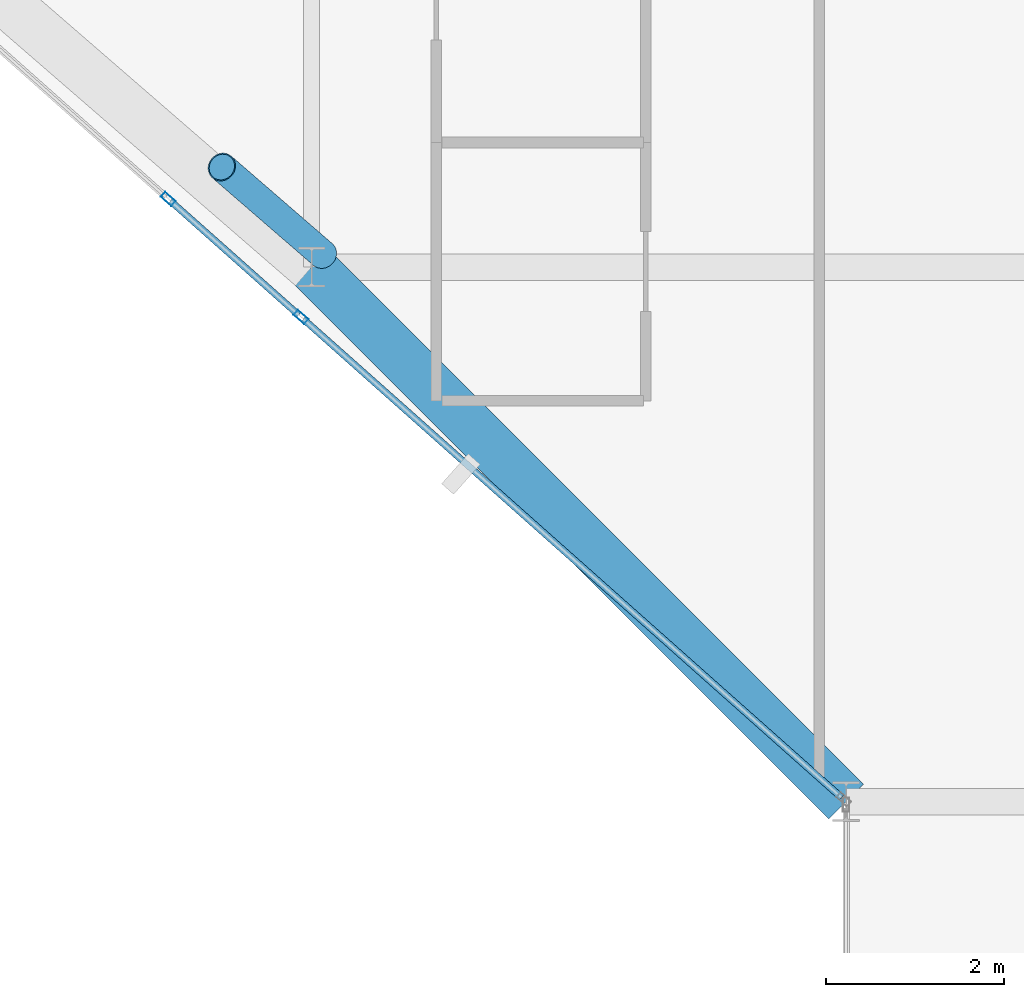
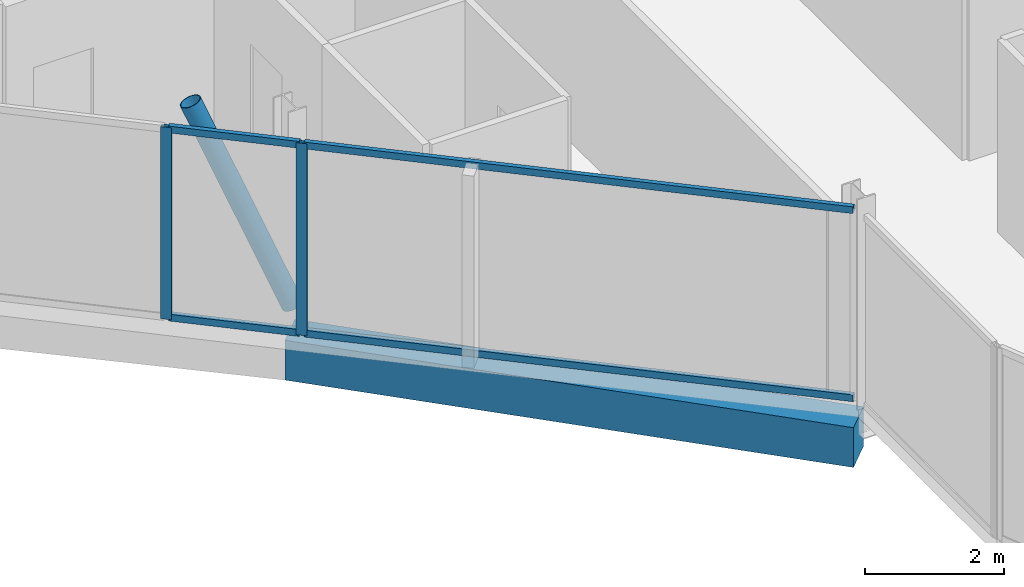
# One storey, part 4 of 29: 7 members, 1 beam, 2 elements without a shape of their own.
"""IFC4 building model written with IfcOpenShell, lengths in metres."""

import ifcopenshell
import ifcopenshell.guid

model = None  # the IFC model being written
_history = None  # IfcOwnerHistory: only IFC2X3 demands one
_inside = {}  # id of a spatial element -> (the spatial element, [elements in it])
_under = {}  # id of a project, library or spatial element -> (it, [spatial elements below it])
_declared = {}  # id of a project -> (the project, [libraries it declares])
_typed = {}  # id of a type object -> (the type object, [elements of that type])
_made_of = {}  # id of a material, layer set ... -> (it, [elements and type objects made of it])


def new_model(schema):
    """Start an empty IFC model of exactly this schema.

    Asked for "IFC4X3", IfcOpenShell would pick the latest addendum, in which some entities
    have other attributes; the version numbers below select the first issue.
    IFC2X3 requires an IfcOwnerHistory on every rooted entity: one is made here for all.
    """
    global model, _history
    if schema == "IFC4X3":
        model = ifcopenshell.file(schema_version=(4, 3, 0, 0))
    else:
        model = ifcopenshell.file(schema=schema)
    _inside.clear()
    _under.clear()
    _declared.clear()
    _typed.clear()
    _made_of.clear()
    _history = None
    if model.schema == "IFC2X3":
        org = make("IfcOrganization", Name="unknown")
        user = make(
            "IfcPersonAndOrganization",
            ThePerson=make("IfcPerson", FamilyName="unknown"),
            TheOrganization=org,
        )
        app = make(
            "IfcApplication",
            ApplicationDeveloper=org,
            Version="unknown",
            ApplicationFullName="unknown",
            ApplicationIdentifier="unknown",
        )
        _history = make(
            "IfcOwnerHistory",
            OwningUser=user,
            OwningApplication=app,
            ChangeAction="ADDED",
            CreationDate=0,
        )
    return model


def make(cls, **values):
    """One entity of the class cls with the attributes given. An attribute that is None is left unset."""
    return model.create_entity(
        cls, **{name: value for name, value in values.items() if value is not None}
    )


def rooted(cls, **values):
    """An entity with a GlobalId (a new one), such as an element, a storey or a relation."""
    return make(cls, GlobalId=ifcopenshell.guid.new(), OwnerHistory=_history, **values)


def si_unit(unit_type, name, prefix=None):
    """IfcSIUnit, for example si_unit("LENGTHUNIT", "METRE", prefix="MILLI")."""
    return make("IfcSIUnit", UnitType=unit_type, Prefix=prefix, Name=name)


def assignment(units):
    """IfcUnitAssignment: the units of a project."""
    return None if units is None else make("IfcUnitAssignment", Units=units)


def point(xyz):
    """IfcCartesianPoint."""
    return None if xyz is None else make("IfcCartesianPoint", Coordinates=xyz)


def direction(xyz):
    """IfcDirection."""
    return None if xyz is None else make("IfcDirection", DirectionRatios=xyz)


def frame(location, z_axis=None, x_axis=None):
    """IfcAxis2Placement3D, a coordinate frame: its origin and axes. An axis left out is left unset."""
    return make(
        "IfcAxis2Placement3D",
        Location=point(location),
        Axis=direction(z_axis),
        RefDirection=direction(x_axis),
    )


def frame_2d(location, x_axis=None):
    """IfcAxis2Placement2D, a coordinate frame in the plane: its origin and x axis."""
    return make(
        "IfcAxis2Placement2D", Location=point(location), RefDirection=direction(x_axis)
    )


def origin():
    """The frame at (0, 0, 0) with its axes left unset."""
    return frame((0.0, 0.0, 0.0))


def origin_2d():
    """The frame at (0, 0) in the plane with its x axis left unset."""
    return frame_2d((0.0, 0.0))


def place(relative_to, where):
    """IfcLocalPlacement: puts the frame where relative to a parent placement (None: the world)."""
    return make(
        "IfcLocalPlacement", PlacementRelTo=relative_to, RelativePlacement=where
    )


def context(
    kind, dimensions, precision=None, world=None, true_north=None, identifier=None
):
    """IfcGeometricRepresentationContext, for example the 3D "Model" context."""
    return make(
        "IfcGeometricRepresentationContext",
        ContextIdentifier=identifier,
        ContextType=kind,
        CoordinateSpaceDimension=dimensions,
        Precision=precision,
        WorldCoordinateSystem=world,
        TrueNorth=true_north,
    )


def subcontext(parent, identifier, kind, view, scale=None):
    """IfcGeometricRepresentationSubContext, for example "Body" below "Model"."""
    return make(
        "IfcGeometricRepresentationSubContext",
        ContextIdentifier=identifier,
        ContextType=kind,
        ParentContext=parent,
        TargetScale=scale,
        TargetView=view,
    )


def project(units=None, contexts=None):
    """IfcProject with its units and contexts."""
    return rooted(
        "IfcProject",
        Name="project",
        RepresentationContexts=contexts,
        UnitsInContext=assignment(units),
    )


def spatial(cls, under=None, at=None, **own):
    """A site, building, storey or space (cls), placed at a placement, below another one or the project."""
    s = rooted(cls, ObjectPlacement=at, **own)
    if under is not None:
        _under.setdefault(under.id(), (under, []))[1].append(s)
    return s


def profile(cls, at=None, kind="AREA", **sizes):
    """A parametric profile (cls). Its sizes go by their IFC names, for example OverallWidth=200.0."""
    return make(cls, ProfileType=kind, Position=at, **sizes)


def rectangle(**sizes):
    """IfcRectangleProfileDef."""
    return profile("IfcRectangleProfileDef", **sizes)


def hollow_rectangle(**sizes):
    """IfcRectangleHollowProfileDef."""
    return profile("IfcRectangleHollowProfileDef", **sizes)


def hollow_circle(**sizes):
    """IfcCircleHollowProfileDef."""
    return profile("IfcCircleHollowProfileDef", **sizes)


def extrude(swept, where, along, depth):
    """IfcExtrudedAreaSolid: the profile swept, set in the frame where, extruded along a direction by depth."""
    return make(
        "IfcExtrudedAreaSolid",
        SweptArea=swept,
        Position=where,
        ExtrudedDirection=direction(along),
        Depth=depth,
    )


def shape(context_of_items, identifier, shape_type, items):
    """IfcShapeRepresentation: the items that make up one representation, for example the "Body"."""
    return make(
        "IfcShapeRepresentation",
        ContextOfItems=context_of_items,
        RepresentationIdentifier=identifier,
        RepresentationType=shape_type,
        Items=items,
    )


def material(Name=None, Category=None):
    """IfcMaterial."""
    return make("IfcMaterial", Name=Name, Category=Category)


def layer(
    of_material, thickness, ventilated=None, Name=None, Category=None, Priority=None
):
    """IfcMaterialLayer: one layer of a wall or slab, of a material (None: an air gap)."""
    return make(
        "IfcMaterialLayer",
        Material=of_material,
        LayerThickness=thickness,
        IsVentilated=ventilated,
        Name=Name,
        Category=Category,
        Priority=Priority,
    )


def layer_set(layers, Name=None):
    """IfcMaterialLayerSet."""
    return make("IfcMaterialLayerSet", MaterialLayers=layers, LayerSetName=Name)


def material_profile(
    of_material, cross_section, Name=None, Category=None, Priority=None
):
    """IfcMaterialProfile: a cross section and its material."""
    return make(
        "IfcMaterialProfile",
        Name=Name,
        Material=of_material,
        Profile=cross_section,
        Priority=Priority,
        Category=Category,
    )


def profile_set(profiles, Name=None, composite=None):
    """IfcMaterialProfileSet."""
    return make(
        "IfcMaterialProfileSet",
        Name=Name,
        MaterialProfiles=profiles,
        CompositeProfile=composite,
    )


def made_of(thing, what):
    """Note that an element or type object is made of a material, layer set ...; save() writes the relation."""
    if what is not None:
        _made_of.setdefault(what.id(), (what, []))[1].append(thing)
    return thing


def type_object(cls, material=None, **own):
    """A type object (cls), such as IfcWallType, which elements share."""
    return made_of(rooted(cls, **own), material)


def element(
    cls,
    number,
    at=None,
    inside=None,
    cuts=None,
    type_object=None,
    material=None,
    context=None,
    identifier="Body",
    shape_type=None,
    held_by="IfcProductDefinitionShape",
    body=None,
    shapes=None,
    **own,
):
    """One element of the class cls, such as IfcWall. Its Tag is "e" and its number.

    at: its placement. inside: the storey or other place that contains it. cuts: it is an
    opening in that element (IfcRelVoidsElement). A single representation is given by context,
    identifier, shape_type and body (its items); several are given by shapes. held_by: the class
    of the entity that holds the representations. save() writes the other relations.
    """
    e = rooted(cls, Tag="e%d" % number, ObjectPlacement=at, **own)
    if body is not None:
        shapes = [shape(context, identifier, shape_type, body)]
    if shapes is not None:
        e.Representation = make(held_by, Representations=shapes)
    if inside is not None:
        _inside.setdefault(inside.id(), (inside, []))[1].append(e)
    if cuts is not None:
        rooted(
            "IfcRelVoidsElement", RelatingBuildingElement=cuts, RelatedOpeningElement=e
        )
    if type_object is not None:
        _typed.setdefault(type_object.id(), (type_object, []))[1].append(e)
    return made_of(e, material)


def aggregate(whole, parts):
    """IfcRelAggregates: a whole, such as a stair, and the parts it consists of."""
    return rooted("IfcRelAggregates", RelatingObject=whole, RelatedObjects=parts)


def save(model, path):
    """Write the relations noted so far, then the file.

    IfcRelAggregates (storeys below a building ...), IfcRelContainedInSpatialStructure (elements
    in a storey), IfcRelDefinesByType, IfcRelAssociatesMaterial and IfcRelDeclares: one each for
    every whole, place, type object, material and project.
    """
    for whole, parts in _under.values():
        aggregate(whole, parts)
    for where, things in _inside.values():
        rooted(
            "IfcRelContainedInSpatialStructure",
            RelatedElements=things,
            RelatingStructure=where,
        )
    for kind, things in _typed.values():
        rooted("IfcRelDefinesByType", RelatedObjects=things, RelatingType=kind)
    for what, things in _made_of.values():
        rooted("IfcRelAssociatesMaterial", RelatedObjects=things, RelatingMaterial=what)
    for by, libraries in _declared.values():
        rooted("IfcRelDeclares", RelatingContext=by, RelatedDefinitions=libraries)
    model.write(path)


model = new_model("IFC4")

# Units and contexts
model_context = context("Model", 3, precision=1e-05, world=origin(), true_north=direction((0.0, 1.0)))
body_context = subcontext(model_context, "Body", "Model", "MODEL_VIEW")
ifc_project = project(units=[si_unit("LENGTHUNIT", "METRE"), si_unit("AREAUNIT", "SQUARE_METRE"), si_unit("VOLUMEUNIT", "CUBIC_METRE"), si_unit("PLANEANGLEUNIT", "RADIAN"), si_unit("MASSUNIT", "GRAM", prefix="KILO")], contexts=[model_context])

# Site, building, storey
site_placement = place(None, origin())
site = spatial("IfcSite", under=ifc_project, at=site_placement, CompositionType="ELEMENT")
building_placement = place(site_placement, origin())
building = spatial("IfcBuilding", under=site, at=building_placement, Name="Keshet Zoharim Tower", CompositionType="ELEMENT")
storey_placement = place(building_placement, frame((0.0, 0.0, 180.199951171875)))
storey = spatial("IfcBuildingStorey", under=building, at=storey_placement, Name="L44", CompositionType="ELEMENT", Elevation=180.199951171875)

# Beam
ifc_material_1 = material(Name="Concrete C50/60", Category="concrete")
ifc_material_profile_1 = material_profile(ifc_material_1, rectangle(XDim=0.550048828125, YDim=0.699951171875, at=origin_2d()), Name="RC700x550")
ifc_profile_set_1 = profile_set([ifc_material_profile_1], Name="Concrete C50/60")
beam_type = type_object("IfcBeamType", Name="BM-SPN-700", PredefinedType="SPANDREL", material=ifc_profile_set_1)
beam_placement = place(storey_placement, frame((21.0, 6.699951171875, -0.659912109375), z_axis=(-0.707106781187, 0.707106781187, 0.0), x_axis=(-0.707106781187, -0.707106781187, 0.0)))
element("IfcBeam", 1, at=beam_placement, inside=storey, type_object=beam_type, Name="L44 Perimeter Spandrel Beam 01", PredefinedType="SPANDREL", context=body_context, shape_type="SweptSolid", body=[
    extrude(rectangle(XDim=0.550048828125, YDim=0.699951171875, at=origin_2d()), origin(), (0.0, 0.0, 1.0), 8.4853515625),
])

# Curtain wall, member
ifc_material_2 = material(Name="Aluminium 6063-T6", Category="aluminium")
ifc_layer = layer(ifc_material_2, 0.139892578125)
ifc_layer_set = layer_set([ifc_layer], Name="Aluminium 6063-T6")
curtain_wall_type = type_object("IfcCurtainWallType", Name="CW-SYS-05", PredefinedType="NOTDEFINED", material=ifc_layer_set)
curtain_wall_1_placement = place(storey_placement, origin())
curtain_wall_1 = element("IfcCurtainWall", 2, at=curtain_wall_1_placement, inside=storey, type_object=curtain_wall_type, Name="L44 Unitised Curtain Wall 10", PredefinedType="NOTDEFINED")
ifc_material_profile_2 = material_profile(ifc_material_2, hollow_rectangle(XDim=0.074951171875, YDim=0.159912109375, WallThickness=0.00390625, at=origin_2d()), Name="MUL-75x160")
ifc_profile_set_2 = profile_set([ifc_material_profile_2], Name="Aluminium 6063-T6")
member_type_1 = type_object("IfcMemberType", Name="CWM-M15", PredefinedType="MULLION", material=ifc_profile_set_2)
member_1_placement = place(storey_placement, frame((14.88037109375, 12.1396484375, 0.0), z_axis=(0.0, 0.0, 1.0), x_axis=(-0.664361574302, -0.747411331591, 0.0)))
member_1 = element("IfcMember", 3, at=member_1_placement, type_object=member_type_1, Name="CW-05 mullion 2", PredefinedType="MULLION", context=body_context, shape_type="SweptSolid", body=[
    extrude(hollow_rectangle(XDim=0.074951171875, YDim=0.159912109375, WallThickness=0.00390625, at=origin_2d()), origin(), (0.0, 0.0, 1.0), 3.380126953125),
])

curtain_wall_2_placement = place(storey_placement, origin())
curtain_wall_2 = element("IfcCurtainWall", 4, at=curtain_wall_2_placement, inside=storey, type_object=curtain_wall_type, Name="L44 Unitised Curtain Wall 10 Part 2", PredefinedType="NOTDEFINED")
member_2_placement = place(storey_placement, frame((13.388671875, 13.4658203125, 0.0), z_axis=(0.0, 0.0, 1.0), x_axis=(-0.664379387033, -0.747395497769, 0.0)))
member_2 = element("IfcMember", 5, at=member_2_placement, type_object=member_type_1, Name="CW-05 mullion 2", PredefinedType="MULLION", context=body_context, shape_type="SweptSolid", body=[
    extrude(hollow_rectangle(XDim=0.074951171875, YDim=0.159912109375, WallThickness=0.00390625, at=origin_2d()), origin(), (0.0, 0.0, 1.0), 3.380126953125),
])

# Member
ifc_material_profile_3 = material_profile(ifc_material_2, hollow_rectangle(XDim=0.074951171875, YDim=0.1201171875, WallThickness=0.00390625, at=origin_2d()), Name="TRN-75x120")
ifc_profile_set_3 = profile_set([ifc_material_profile_3], Name="Aluminium 6063-T6")
member_type_2 = type_object("IfcMemberType", Name="CWT-T12", PredefinedType="USERDEFINED", material=ifc_profile_set_3)
member_3_placement = place(storey_placement, frame((20.94775390625, 6.74658203125, 0.03515625), z_axis=(-0.747417650982, 0.664354464876, 0.0), x_axis=(-0.664354464876, -0.747417650982, 0.0)))
member_3 = element("IfcMember", 6, at=member_3_placement, type_object=member_type_2, Name="CW-05 transom 1.1", ObjectType="TRANSOM", PredefinedType="USERDEFINED", context=body_context, shape_type="SweptSolid", body=[
    extrude(hollow_rectangle(XDim=0.074951171875, YDim=0.1201171875, WallThickness=0.00390625, at=origin_2d()), origin(), (0.0, 0.0, 1.0), 8.082763671875),
])

member_4_placement = place(storey_placement, frame((20.94775390625, 6.74658203125, 3.344970703125), z_axis=(-0.747417650982, 0.664354464876, 0.0), x_axis=(-0.664354464876, -0.747417650982, 0.0)))
member_4 = element("IfcMember", 7, at=member_4_placement, type_object=member_type_2, Name="CW-05 transom 1.2", ObjectType="TRANSOM", PredefinedType="USERDEFINED", context=body_context, shape_type="SweptSolid", body=[
    extrude(hollow_rectangle(XDim=0.074951171875, YDim=0.1201171875, WallThickness=0.00390625, at=origin_2d()), origin(), (0.0, 0.0, 1.0), 8.082763671875),
])

aggregate(curtain_wall_1, [member_1, member_3, member_4])

member_5_placement = place(storey_placement, frame((14.854248046875, 12.162841796875, 0.03515625), z_axis=(-0.74740232475, 0.664371706922, 0.0), x_axis=(-0.664371706922, -0.74740232475, 0.0)))
member_5 = element("IfcMember", 8, at=member_5_placement, type_object=member_type_2, Name="CW-05 transom 1.1", ObjectType="TRANSOM", PredefinedType="USERDEFINED", context=body_context, shape_type="SweptSolid", body=[
    extrude(hollow_rectangle(XDim=0.074951171875, YDim=0.1201171875, WallThickness=0.00390625, at=origin_2d()), origin(), (0.0, 0.0, 1.0), 1.926025390625),
])

member_6_placement = place(storey_placement, frame((14.854248046875, 12.162841796875, 3.344970703125), z_axis=(-0.74740232475, 0.664371706922, 0.0), x_axis=(-0.664371706922, -0.74740232475, 0.0)))
member_6 = element("IfcMember", 9, at=member_6_placement, type_object=member_type_2, Name="CW-05 transom 1.2", ObjectType="TRANSOM", PredefinedType="USERDEFINED", context=body_context, shape_type="SweptSolid", body=[
    extrude(hollow_rectangle(XDim=0.074951171875, YDim=0.1201171875, WallThickness=0.00390625, at=origin_2d()), origin(), (0.0, 0.0, 1.0), 1.926025390625),
])

aggregate(curtain_wall_2, [member_2, member_5, member_6])

ifc_material_3 = material(Name="Steel S355", Category="steel")
ifc_material_profile_4 = material_profile(ifc_material_3, hollow_circle(Radius=0.161865234375, WallThickness=0.012451171875, at=origin_2d()), Name="CHS323x12.5")
ifc_profile_set_4 = profile_set([ifc_material_profile_4], Name="Steel S355")
member_type_3 = type_object("IfcMemberType", Name="MB-BR-C323", PredefinedType="BRACE", material=ifc_profile_set_4)
member_7_placement = place(storey_placement, frame((15.1259765625, 12.842041015625, 0.0), z_axis=(-0.306658093735, 0.265528278364, 0.91403257433), x_axis=(-0.654589683411, -0.755984355904, 0.0)))
element("IfcMember", 10, at=member_7_placement, inside=storey, type_object=member_type_3, Name="L44 Perimeter Tube Brace 01", PredefinedType="BRACE", context=body_context, shape_type="SweptSolid", body=[
    extrude(hollow_circle(Radius=0.161865234375, WallThickness=0.012451171875, at=origin_2d()), origin(), (0.0, 0.0, 1.0), 3.697998046875),
])

save(model, "model.ifc")
